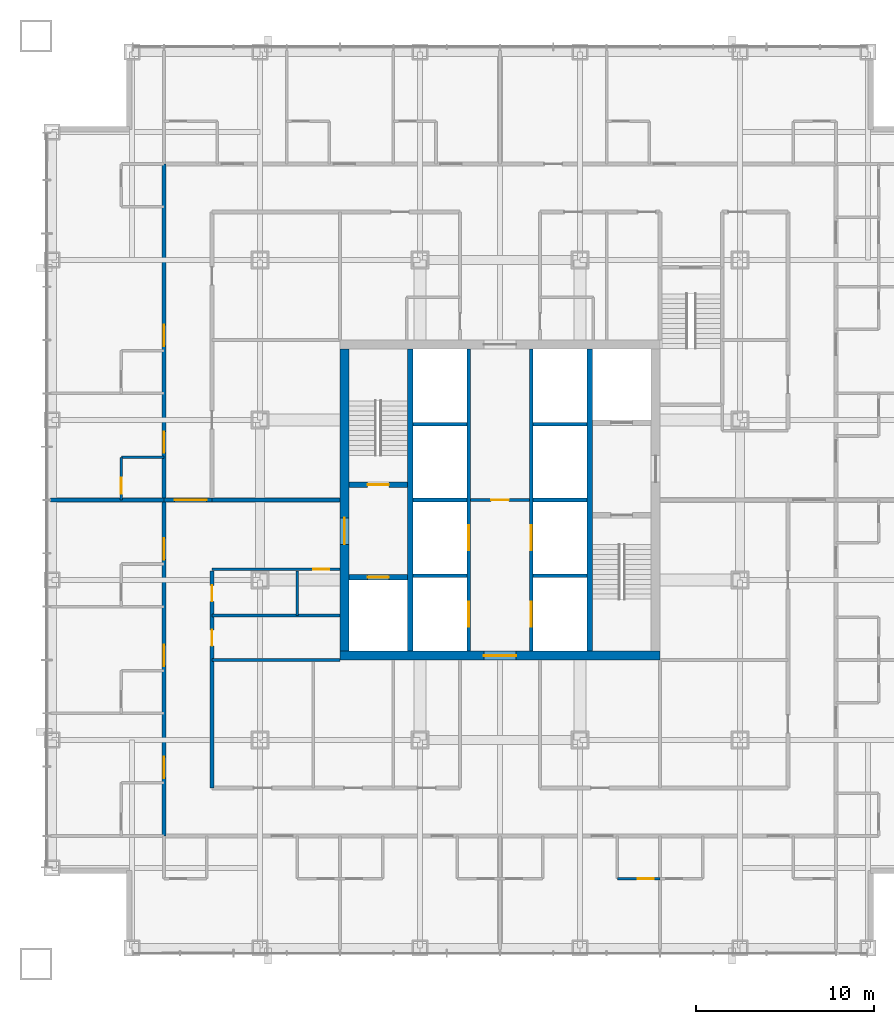
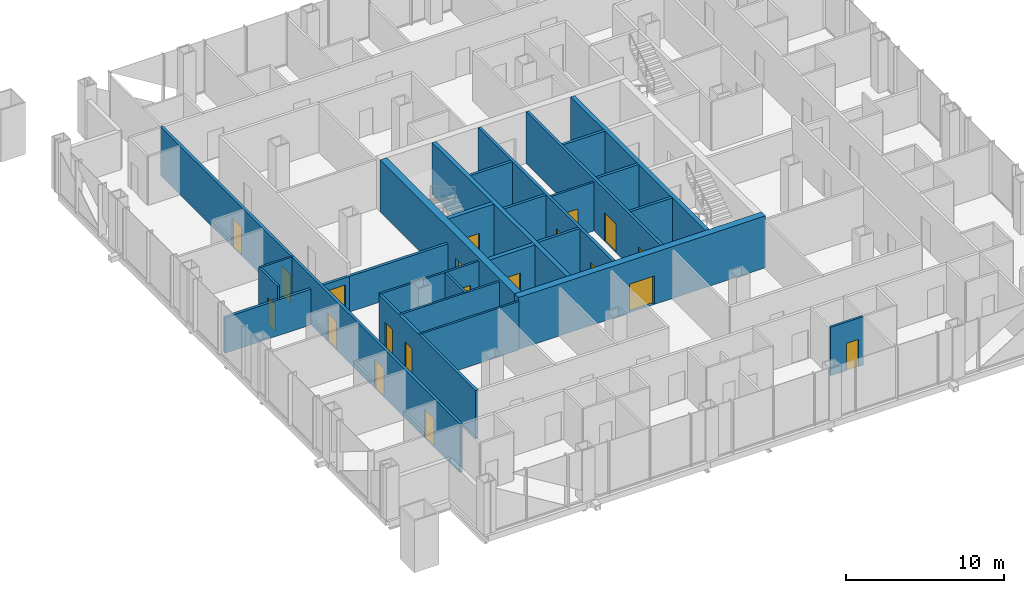
# One storey, part 8 of 17: 27 walls, 20 doors, 20 openings.
"""IFC4 building model written with IfcOpenShell, lengths in metres."""

from ifc_helpers import new_model, si_unit, direction, frame, frame_2d, origin, place, context, subcontext, project, spatial, rectangle, extrude, material, layer, layer_set, type_object, element, fill, save


model = new_model("IFC4")

# Units and contexts
model_context = context("Model", 3, precision=1e-05, world=origin(), true_north=direction((0.0, 1.0)))
body_context = subcontext(model_context, "Body", "Model", "MODEL_VIEW")
ifc_project = project(units=[si_unit("LENGTHUNIT", "METRE"), si_unit("AREAUNIT", "SQUARE_METRE"), si_unit("VOLUMEUNIT", "CUBIC_METRE"), si_unit("PLANEANGLEUNIT", "RADIAN"), si_unit("MASSUNIT", "GRAM", prefix="KILO")], contexts=[model_context])

# Site, building, storey
site_placement = place(None, origin())
site = spatial("IfcSite", under=ifc_project, at=site_placement, CompositionType="ELEMENT")
building_placement = place(site_placement, origin())
building = spatial("IfcBuilding", under=site, at=building_placement, Name="Malebo Sky Hospital", CompositionType="ELEMENT")
storey_placement = place(building_placement, frame((0.0, 0.0, 55.0)))
storey = spatial("IfcBuildingStorey", under=building, at=storey_placement, Name="L12", CompositionType="ELEMENT", Elevation=55.0)

# Wall, openings, doors
ifc_material_1 = material(Name="Concrete C80/95", Category="concrete")
ifc_layer_1 = layer(ifc_material_1, 0.199951171875)
ifc_layer_set_1 = layer_set([ifc_layer_1], Name="CORE INNER WALL 200")
wall_type_1 = type_object("IfcWallType", Name="CORE INNER WALL 200", PredefinedType="SHEAR", material=ifc_layer_set_1)
wall_1_placement = place(storey_placement, frame((58.25, 53.5, 0.0), z_axis=(0.0, 0.0, 1.0), x_axis=(0.0, 1.0, 0.0)))
wall_1 = element("IfcWall", 1, at=wall_1_placement, inside=storey, type_object=wall_type_1, Name="Core wall LW L12", PredefinedType="SHEAR", context=body_context, shape_type="SweptSolid", body=[
    extrude(rectangle(XDim=17.0, YDim=0.199951171875, at=frame_2d((8.5, 0.0))), origin(), (0.0, 0.0, 1.0), 4.0),
])
opening_1_placement = place(wall_1_placement, frame((1.375, 0.0, 0.0)))
opening_1 = element("IfcOpeningElement", 2, at=opening_1_placement, cuts=wall_1, Name="Opening LD1", PredefinedType="OPENING", context=body_context, shape_type="SweptSolid", body=[
    extrude(rectangle(XDim=1.39990234375, YDim=2.199951171875, at=frame_2d((0.699951171875, 1.10009765625))), frame((0.0, 0.10986328125, 0.0), z_axis=(0.0, -1.0, 0.0), x_axis=(1.0, 0.0, 0.0)), (0.0, 0.0, 1.0), 0.219970703125),
])
opening_2_placement = place(wall_1_placement, frame((5.675048828125, 0.0, 0.0)))
opening_2 = element("IfcOpeningElement", 3, at=opening_2_placement, cuts=wall_1, Name="Opening LD1", PredefinedType="OPENING", context=body_context, shape_type="SweptSolid", body=[
    extrude(rectangle(XDim=1.39990234375, YDim=2.199951171875, at=frame_2d((0.699951171875, 1.10009765625))), frame((0.0, 0.10986328125, 0.0), z_axis=(0.0, -1.0, 0.0), x_axis=(1.0, 0.0, 0.0)), (0.0, 0.0, 1.0), 0.219970703125),
])
ifc_material_2 = material(Name="Stainless steel sliding landing door", Category="steel")
door_type_1 = type_object("IfcDoorType", Name="LIFT LANDING DOOR 1400", OperationType="SLIDING_TO_LEFT", PredefinedType="DOOR", material=ifc_material_2)
door_1_placement = place(opening_1_placement, origin())
door_1 = element("IfcDoor", 4, at=door_1_placement, inside=storey, type_object=door_type_1, Name="Lift W1 landing door", OperationType="SLIDING_TO_LEFT", OverallHeight=2.199951171875, OverallWidth=1.39990234375, PredefinedType="DOOR", context=body_context, shape_type="SweptSolid", body=[
    extrude(rectangle(XDim=1.39990234375, YDim=2.199951171875, at=frame_2d((0.699951171875, 1.10009765625))), frame((0.0, 0.02490234375, 0.0), z_axis=(0.0, -1.0, 0.0), x_axis=(1.0, 0.0, 0.0)), (0.0, 0.0, 1.0), 0.050048828125),
])
fill(opening_1, door_1)
door_2_placement = place(opening_2_placement, origin())
door_2 = element("IfcDoor", 5, at=door_2_placement, inside=storey, type_object=door_type_1, Name="Lift W2 landing door", OperationType="SLIDING_TO_LEFT", OverallHeight=2.199951171875, OverallWidth=1.39990234375, PredefinedType="DOOR", context=body_context, shape_type="SweptSolid", body=[
    extrude(rectangle(XDim=1.39990234375, YDim=2.199951171875, at=frame_2d((0.699951171875, 1.10009765625))), frame((0.0, 0.02490234375, 0.0), z_axis=(0.0, -1.0, 0.0), x_axis=(1.0, 0.0, 0.0)), (0.0, 0.0, 1.0), 0.050048828125),
])
fill(opening_2, door_2)

wall_2_placement = place(storey_placement, frame((61.75, 53.5, 0.0), z_axis=(0.0, 0.0, 1.0), x_axis=(0.0, 1.0, 0.0)))
wall_2 = element("IfcWall", 6, at=wall_2_placement, inside=storey, type_object=wall_type_1, Name="Core wall LE L12", PredefinedType="SHEAR", context=body_context, shape_type="SweptSolid", body=[
    extrude(rectangle(XDim=17.0, YDim=0.199951171875, at=frame_2d((8.5, 0.0))), origin(), (0.0, 0.0, 1.0), 4.0),
])
opening_3_placement = place(wall_2_placement, frame((1.375, 0.0, 0.0)))
opening_3 = element("IfcOpeningElement", 7, at=opening_3_placement, cuts=wall_2, Name="Opening LD1", PredefinedType="OPENING", context=body_context, shape_type="SweptSolid", body=[
    extrude(rectangle(XDim=1.39990234375, YDim=2.199951171875, at=frame_2d((0.699951171875, 1.10009765625))), frame((0.0, 0.10986328125, 0.0), z_axis=(0.0, -1.0, 0.0), x_axis=(1.0, 0.0, 0.0)), (0.0, 0.0, 1.0), 0.219970703125),
])
opening_4_placement = place(wall_2_placement, frame((5.675048828125, 0.0, 0.0)))
opening_4 = element("IfcOpeningElement", 8, at=opening_4_placement, cuts=wall_2, Name="Opening LD1", PredefinedType="OPENING", context=body_context, shape_type="SweptSolid", body=[
    extrude(rectangle(XDim=1.39990234375, YDim=2.199951171875, at=frame_2d((0.699951171875, 1.10009765625))), frame((0.0, 0.10986328125, 0.0), z_axis=(0.0, -1.0, 0.0), x_axis=(1.0, 0.0, 0.0)), (0.0, 0.0, 1.0), 0.219970703125),
])
door_3_placement = place(opening_3_placement, origin())
door_3 = element("IfcDoor", 9, at=door_3_placement, inside=storey, type_object=door_type_1, Name="Lift E1 landing door", OperationType="SLIDING_TO_LEFT", OverallHeight=2.199951171875, OverallWidth=1.39990234375, PredefinedType="DOOR", context=body_context, shape_type="SweptSolid", body=[
    extrude(rectangle(XDim=1.39990234375, YDim=2.199951171875, at=frame_2d((0.699951171875, 1.10009765625))), frame((0.0, 0.02490234375, 0.0), z_axis=(0.0, -1.0, 0.0), x_axis=(1.0, 0.0, 0.0)), (0.0, 0.0, 1.0), 0.050048828125),
])
fill(opening_3, door_3)
door_4_placement = place(opening_4_placement, origin())
door_4 = element("IfcDoor", 10, at=door_4_placement, inside=storey, type_object=door_type_1, Name="Lift E2 landing door", OperationType="SLIDING_TO_LEFT", OverallHeight=2.199951171875, OverallWidth=1.39990234375, PredefinedType="DOOR", context=body_context, shape_type="SweptSolid", body=[
    extrude(rectangle(XDim=1.39990234375, YDim=2.199951171875, at=frame_2d((0.699951171875, 1.10009765625))), frame((0.0, 0.02490234375, 0.0), z_axis=(0.0, -1.0, 0.0), x_axis=(1.0, 0.0, 0.0)), (0.0, 0.0, 1.0), 0.050048828125),
])
fill(opening_4, door_4)

# Walls
for number, where, z_axis, x_axis, name in (
    (11, (55.10009765625, 57.75, 0.0), (0.0, 0.0, 1.0), (1.0, 0.0, 0.0), "Core wall SW0 L12"),
    (12, (61.85009765625, 57.75, 0.0), (0.0, 0.0, 1.0), (1.0, 0.0, 0.0), "Core wall SE0 L12"),
    (13, (55.10009765625, 62.0, 0.0), (0.0, 0.0, 1.0), (1.0, 0.0, 0.0), "Core wall SW1 L12"),
    (14, (61.85009765625, 62.0, 0.0), (0.0, 0.0, 1.0), (1.0, 0.0, 0.0), "Core wall SE1 L12"),
    (15, (55.10009765625, 66.25, 0.0), (0.0, 0.0, 1.0), (1.0, 0.0, 0.0), "Core wall SW2 L12"),
    (16, (61.85009765625, 66.25, 0.0), (0.0, 0.0, 1.0), (1.0, 0.0, 0.0), "Core wall SE2 L12"),
):
    element("IfcWall", number, at=place(storey_placement, frame(where, z_axis=z_axis, x_axis=x_axis)), inside=storey, type_object=wall_type_1, Name=name, PredefinedType="SHEAR", context=body_context, shape_type="SweptSolid", body=[
        extrude(rectangle(XDim=3.0498046875, YDim=0.199951171875, at=frame_2d((1.52490234375, 0.0))), origin(), (0.0, 0.0, 1.0), 4.0),
    ])
ifc_layer_2 = layer(ifc_material_1, 0.300048828125)
ifc_layer_set_2 = layer_set([ifc_layer_2], Name="CORE INNER WALL 300")
wall_type_2 = type_object("IfcWallType", Name="CORE INNER WALL 300", PredefinedType="SHEAR", material=ifc_layer_set_2)
for number, where, z_axis, x_axis, name in (
    (17, (54.949951171875, 53.5, 0.0), (0.0, 0.0, 1.0), (0.0, 1.0, 0.0), "Core wall XW L12"),
    (18, (65.050048828125, 53.5, 0.0), (0.0, 0.0, 1.0), (0.0, 1.0, 0.0), "Core wall XE L12"),
):
    element("IfcWall", number, at=place(storey_placement, frame(where, z_axis=z_axis, x_axis=x_axis)), inside=storey, type_object=wall_type_2, Name=name, PredefinedType="SHEAR", context=body_context, shape_type="SweptSolid", body=[
        extrude(rectangle(XDim=17.0, YDim=0.300048828125, at=frame_2d((8.5, 0.0))), origin(), (0.0, 0.0, 1.0), 4.0),
    ])

# Wall, opening, door
wall_3_placement = place(storey_placement, frame((51.5, 62.85009765625, 0.0), z_axis=(0.0, 0.0, 1.0), x_axis=(1.0, 0.0, 0.0)))
wall_3 = element("IfcWall", 19, at=wall_3_placement, inside=storey, type_object=wall_type_2, Name="Core wall W1 L12", PredefinedType="SHEAR", context=body_context, shape_type="SweptSolid", body=[
    extrude(rectangle(XDim=3.300048828125, YDim=0.300048828125, at=frame_2d((1.64990234375, 0.0))), origin(), (0.0, 0.0, 1.0), 4.0),
])
opening_5_placement = place(wall_3_placement, frame((1.050048828125, 0.0, 0.0)))
opening_5 = element("IfcOpeningElement", 20, at=opening_5_placement, cuts=wall_3, Name="Opening D08", PredefinedType="OPENING", context=body_context, shape_type="SweptSolid", body=[
    extrude(rectangle(XDim=1.199951171875, YDim=2.10009765625, at=frame_2d((0.60009765625, 1.050048828125))), frame((0.0, 0.159912109375, 0.0), z_axis=(0.0, -1.0, 0.0), x_axis=(1.0, 0.0, 0.0)), (0.0, 0.0, 1.0), 0.320068359375),
])
ifc_material_3 = material(Name="Hardwood-faced door leaf in steel frame", Category="steel")
door_type_2 = type_object("IfcDoorType", Name="STAIR DOOR 1200", OperationType="SINGLE_SWING_LEFT", PredefinedType="DOOR", material=ifc_material_3)
door_5_placement = place(opening_5_placement, origin())
door_5 = element("IfcDoor", 21, at=door_5_placement, inside=storey, type_object=door_type_2, Name="Stair S1 door", OperationType="SINGLE_SWING_LEFT", OverallHeight=2.10009765625, OverallWidth=1.199951171875, PredefinedType="DOOR", context=body_context, shape_type="SweptSolid", body=[
    extrude(rectangle(XDim=1.199951171875, YDim=2.10009765625, at=frame_2d((0.60009765625, 1.050048828125))), frame((0.0, 0.02490234375, 0.0), z_axis=(0.0, -1.0, 0.0), x_axis=(1.0, 0.0, 0.0)), (0.0, 0.0, 1.0), 0.050048828125),
])
fill(opening_5, door_5)

wall_4_placement = place(storey_placement, frame((51.5, 57.64990234375, 0.0), z_axis=(0.0, 0.0, 1.0), x_axis=(1.0, 0.0, 0.0)))
wall_4 = element("IfcWall", 22, at=wall_4_placement, inside=storey, type_object=wall_type_2, Name="Core wall W2 L12", PredefinedType="SHEAR", context=body_context, shape_type="SweptSolid", body=[
    extrude(rectangle(XDim=3.300048828125, YDim=0.300048828125, at=frame_2d((1.64990234375, 0.0))), origin(), (0.0, 0.0, 1.0), 4.0),
])
opening_6_placement = place(wall_4_placement, frame((1.050048828125, 0.0, 0.0)))
opening_6 = element("IfcOpeningElement", 23, at=opening_6_placement, cuts=wall_4, Name="Opening LD2", PredefinedType="OPENING", context=body_context, shape_type="SweptSolid", body=[
    extrude(rectangle(XDim=1.199951171875, YDim=2.199951171875, at=frame_2d((0.60009765625, 1.10009765625))), frame((0.0, 0.159912109375, 0.0), z_axis=(0.0, -1.0, 0.0), x_axis=(1.0, 0.0, 0.0)), (0.0, 0.0, 1.0), 0.320068359375),
])
door_type_3 = type_object("IfcDoorType", Name="FIRE-FIGHTING LIFT LANDING DOOR 1200", OperationType="SLIDING_TO_LEFT", PredefinedType="DOOR", material=ifc_material_2)
door_6_placement = place(opening_6_placement, origin())
door_6 = element("IfcDoor", 24, at=door_6_placement, inside=storey, type_object=door_type_3, Name="Lift FL1 landing door", OperationType="SLIDING_TO_LEFT", OverallHeight=2.199951171875, OverallWidth=1.199951171875, PredefinedType="DOOR", context=body_context, shape_type="SweptSolid", body=[
    extrude(rectangle(XDim=1.199951171875, YDim=2.199951171875, at=frame_2d((0.60009765625, 1.10009765625))), frame((0.0, 0.02490234375, 0.0), z_axis=(0.0, -1.0, 0.0), x_axis=(1.0, 0.0, 0.0)), (0.0, 0.0, 1.0), 0.050048828125),
])
fill(opening_6, door_6)

ifc_layer_3 = layer(ifc_material_1, 0.5)
ifc_layer_set_3 = layer_set([ifc_layer_3], Name="CORE WALL 500")
wall_type_3 = type_object("IfcWallType", Name="CORE WALL 500", PredefinedType="SHEAR", material=ifc_layer_set_3)
wall_5_placement = place(storey_placement, frame((51.0, 53.25, 0.0), z_axis=(0.0, 0.0, 1.0), x_axis=(1.0, 0.0, 0.0)))
wall_5 = element("IfcWall", 25, at=wall_5_placement, inside=storey, type_object=wall_type_3, Name="Core wall S L12", PredefinedType="SHEAR", context=body_context, shape_type="SweptSolid", body=[
    extrude(rectangle(XDim=18.0, YDim=0.5, at=frame_2d((9.0, 0.0))), origin(), (0.0, 0.0, 1.0), 4.0),
])
opening_7_placement = place(wall_5_placement, frame((8.10009765625, 0.0, 0.0)))
opening_7 = element("IfcOpeningElement", 26, at=opening_7_placement, cuts=wall_5, Name="Opening D06", PredefinedType="OPENING", context=body_context, shape_type="SweptSolid", body=[
    extrude(rectangle(XDim=1.800048828125, YDim=2.199951171875, at=frame_2d((0.89990234375, 1.10009765625))), frame((0.0, 0.260009765625, 0.0), z_axis=(0.0, -1.0, 0.0), x_axis=(1.0, 0.0, 0.0)), (0.0, 0.0, 1.0), 0.52001953125),
])
door_type_4 = type_object("IfcDoorType", Name="LOBBY DOOR PAIR 1800", OperationType="DOUBLE_DOOR_SINGLE_SWING", PredefinedType="DOOR", material=ifc_material_3)
door_7_placement = place(opening_7_placement, origin())
door_7 = element("IfcDoor", 27, at=door_7_placement, inside=storey, type_object=door_type_4, Name="Lift lobby door south", OperationType="DOUBLE_DOOR_SINGLE_SWING", OverallHeight=2.199951171875, OverallWidth=1.800048828125, PredefinedType="DOOR", context=body_context, shape_type="SweptSolid", body=[
    extrude(rectangle(XDim=1.800048828125, YDim=2.199951171875, at=frame_2d((0.89990234375, 1.10009765625))), frame((0.0, 0.02490234375, 0.0), z_axis=(0.0, -1.0, 0.0), x_axis=(1.0, 0.0, 0.0)), (0.0, 0.0, 1.0), 0.050048828125),
])
fill(opening_7, door_7)

wall_6_placement = place(storey_placement, frame((51.25, 53.5, 0.0), z_axis=(0.0, 0.0, 1.0), x_axis=(0.0, 1.0, 0.0)))
wall_6 = element("IfcWall", 28, at=wall_6_placement, inside=storey, type_object=wall_type_3, Name="Core wall W L12", PredefinedType="SHEAR", context=body_context, shape_type="SweptSolid", body=[
    extrude(rectangle(XDim=17.0, YDim=0.5, at=frame_2d((8.5, 0.0))), origin(), (0.0, 0.0, 1.0), 4.0),
])
opening_8_placement = place(wall_6_placement, frame((6.0, 0.0, 0.0)))
opening_8 = element("IfcOpeningElement", 29, at=opening_8_placement, cuts=wall_6, Name="Opening D07", PredefinedType="OPENING", context=body_context, shape_type="SweptSolid", body=[
    extrude(rectangle(XDim=1.5, YDim=2.199951171875, at=frame_2d((0.75, 1.10009765625))), frame((0.0, 0.260009765625, 0.0), z_axis=(0.0, -1.0, 0.0), x_axis=(1.0, 0.0, 0.0)), (0.0, 0.0, 1.0), 0.52001953125),
])
door_type_5 = type_object("IfcDoorType", Name="FIRE-FIGHTING LOBBY DOOR PAIR 1500", OperationType="DOUBLE_DOOR_SINGLE_SWING", PredefinedType="DOOR", material=ifc_material_3)
door_8_placement = place(opening_8_placement, origin())
door_8 = element("IfcDoor", 30, at=door_8_placement, inside=storey, type_object=door_type_5, Name="Fire-fighting lobby door west", OperationType="DOUBLE_DOOR_SINGLE_SWING", OverallHeight=2.199951171875, OverallWidth=1.5, PredefinedType="DOOR", context=body_context, shape_type="SweptSolid", body=[
    extrude(rectangle(XDim=1.5, YDim=2.199951171875, at=frame_2d((0.75, 1.10009765625))), frame((0.0, 0.02490234375, 0.0), z_axis=(0.0, -1.0, 0.0), x_axis=(1.0, 0.0, 0.0)), (0.0, 0.0, 1.0), 0.050048828125),
])
fill(opening_8, door_8)

# Wall, openings, doors
ifc_material_4 = material(Name="Gypsum board on steel studs", Category="steel")
ifc_layer_4 = layer(ifc_material_4, 0.199951171875)
ifc_layer_set_4 = layer_set([ifc_layer_4], Name="CORRIDOR WALL 200")
wall_type_4 = type_object("IfcWallType", Name="CORRIDOR WALL 200", PredefinedType="PARTITIONING", material=ifc_layer_set_4)
wall_7_placement = place(storey_placement, frame((41.10009765625, 43.10009765625, 0.0), z_axis=(0.0, 0.0, 1.0), x_axis=(0.0, 1.0, 0.0)))
wall_7 = element("IfcWall", 31, at=wall_7_placement, inside=storey, type_object=wall_type_4, Name="Corridor Wall 200 WCO", PredefinedType="PARTITIONING", context=body_context, shape_type="SweptSolid", body=[
    extrude(rectangle(XDim=37.7998046875, YDim=0.199951171875, at=frame_2d((18.89990234375, 0.0))), origin(), (0.0, 0.0, 1.0), 3.75),
])
opening_9_placement = place(wall_7_placement, frame((3.25, 0.0, 0.0)))
opening_9 = element("IfcOpeningElement", 32, at=opening_9_placement, cuts=wall_7, Name="Opening D01", PredefinedType="OPENING", context=body_context, shape_type="SweptSolid", body=[
    extrude(rectangle(XDim=1.199951171875, YDim=2.199951171875, at=frame_2d((0.60009765625, 1.10009765625))), frame((0.0, 0.10986328125, 0.0), z_axis=(0.0, -1.0, 0.0), x_axis=(1.0, 0.0, 0.0)), (0.0, 0.0, 1.0), 0.219970703125),
])
opening_10_placement = place(wall_7_placement, frame((9.550048828125, 0.0, 0.0)))
opening_10 = element("IfcOpeningElement", 33, at=opening_10_placement, cuts=wall_7, Name="Opening D01", PredefinedType="OPENING", context=body_context, shape_type="SweptSolid", body=[
    extrude(rectangle(XDim=1.199951171875, YDim=2.199951171875, at=frame_2d((0.60009765625, 1.10009765625))), frame((0.0, 0.10986328125, 0.0), z_axis=(0.0, -1.0, 0.0), x_axis=(1.0, 0.0, 0.0)), (0.0, 0.0, 1.0), 0.219970703125),
])
opening_11_placement = place(wall_7_placement, frame((15.550048828125, 0.0, 0.0)))
opening_11 = element("IfcOpeningElement", 34, at=opening_11_placement, cuts=wall_7, Name="Opening D01", PredefinedType="OPENING", context=body_context, shape_type="SweptSolid", body=[
    extrude(rectangle(XDim=1.199951171875, YDim=2.199951171875, at=frame_2d((0.60009765625, 1.10009765625))), frame((0.0, 0.10986328125, 0.0), z_axis=(0.0, -1.0, 0.0), x_axis=(1.0, 0.0, 0.0)), (0.0, 0.0, 1.0), 0.219970703125),
])
opening_12_placement = place(wall_7_placement, frame((21.550048828125, 0.0, 0.0)))
opening_12 = element("IfcOpeningElement", 35, at=opening_12_placement, cuts=wall_7, Name="Opening D01", PredefinedType="OPENING", context=body_context, shape_type="SweptSolid", body=[
    extrude(rectangle(XDim=1.199951171875, YDim=2.199951171875, at=frame_2d((0.60009765625, 1.10009765625))), frame((0.0, 0.10986328125, 0.0), z_axis=(0.0, -1.0, 0.0), x_axis=(1.0, 0.0, 0.0)), (0.0, 0.0, 1.0), 0.219970703125),
])
opening_13_placement = place(wall_7_placement, frame((27.550048828125, 0.0, 0.0)))
opening_13 = element("IfcOpeningElement", 36, at=opening_13_placement, cuts=wall_7, Name="Opening D01", PredefinedType="OPENING", context=body_context, shape_type="SweptSolid", body=[
    extrude(rectangle(XDim=1.199951171875, YDim=2.199951171875, at=frame_2d((0.60009765625, 1.10009765625))), frame((0.0, 0.10986328125, 0.0), z_axis=(0.0, -1.0, 0.0), x_axis=(1.0, 0.0, 0.0)), (0.0, 0.0, 1.0), 0.219970703125),
])
door_type_6 = type_object("IfcDoorType", Name="BED DOOR 1200", OperationType="SINGLE_SWING_LEFT", PredefinedType="DOOR", material=ifc_material_3)
door_9_placement = place(opening_9_placement, origin())
door_9 = element("IfcDoor", 37, at=door_9_placement, inside=storey, type_object=door_type_6, Name="Two-bed room door", OperationType="SINGLE_SWING_LEFT", OverallHeight=2.199951171875, OverallWidth=1.199951171875, PredefinedType="DOOR", context=body_context, shape_type="SweptSolid", body=[
    extrude(rectangle(XDim=1.199951171875, YDim=2.199951171875, at=frame_2d((0.60009765625, 1.10009765625))), frame((0.0, 0.02490234375, 0.0), z_axis=(0.0, -1.0, 0.0), x_axis=(1.0, 0.0, 0.0)), (0.0, 0.0, 1.0), 0.050048828125),
])
fill(opening_9, door_9)
door_10_placement = place(opening_10_placement, origin())
door_10 = element("IfcDoor", 38, at=door_10_placement, inside=storey, type_object=door_type_6, Name="Two-bed room door", OperationType="SINGLE_SWING_LEFT", OverallHeight=2.199951171875, OverallWidth=1.199951171875, PredefinedType="DOOR", context=body_context, shape_type="SweptSolid", body=[
    extrude(rectangle(XDim=1.199951171875, YDim=2.199951171875, at=frame_2d((0.60009765625, 1.10009765625))), frame((0.0, 0.02490234375, 0.0), z_axis=(0.0, -1.0, 0.0), x_axis=(1.0, 0.0, 0.0)), (0.0, 0.0, 1.0), 0.050048828125),
])
fill(opening_10, door_10)
door_11_placement = place(opening_11_placement, origin())
door_11 = element("IfcDoor", 39, at=door_11_placement, inside=storey, type_object=door_type_6, Name="Two-bed room door", OperationType="SINGLE_SWING_LEFT", OverallHeight=2.199951171875, OverallWidth=1.199951171875, PredefinedType="DOOR", context=body_context, shape_type="SweptSolid", body=[
    extrude(rectangle(XDim=1.199951171875, YDim=2.199951171875, at=frame_2d((0.60009765625, 1.10009765625))), frame((0.0, 0.02490234375, 0.0), z_axis=(0.0, -1.0, 0.0), x_axis=(1.0, 0.0, 0.0)), (0.0, 0.0, 1.0), 0.050048828125),
])
fill(opening_11, door_11)
door_12_placement = place(opening_12_placement, origin())
door_12 = element("IfcDoor", 40, at=door_12_placement, inside=storey, type_object=door_type_6, Name="Two-bed room door", OperationType="SINGLE_SWING_LEFT", OverallHeight=2.199951171875, OverallWidth=1.199951171875, PredefinedType="DOOR", context=body_context, shape_type="SweptSolid", body=[
    extrude(rectangle(XDim=1.199951171875, YDim=2.199951171875, at=frame_2d((0.60009765625, 1.10009765625))), frame((0.0, 0.02490234375, 0.0), z_axis=(0.0, -1.0, 0.0), x_axis=(1.0, 0.0, 0.0)), (0.0, 0.0, 1.0), 0.050048828125),
])
fill(opening_12, door_12)
door_13_placement = place(opening_13_placement, origin())
door_13 = element("IfcDoor", 41, at=door_13_placement, inside=storey, type_object=door_type_6, Name="Four-bed bay door", OperationType="SINGLE_SWING_LEFT", OverallHeight=2.199951171875, OverallWidth=1.199951171875, PredefinedType="DOOR", context=body_context, shape_type="SweptSolid", body=[
    extrude(rectangle(XDim=1.199951171875, YDim=2.199951171875, at=frame_2d((0.60009765625, 1.10009765625))), frame((0.0, 0.02490234375, 0.0), z_axis=(0.0, -1.0, 0.0), x_axis=(1.0, 0.0, 0.0)), (0.0, 0.0, 1.0), 0.050048828125),
])
fill(opening_13, door_13)

wall_8_placement = place(storey_placement, frame((43.800048828125, 45.800048828125, 0.0), z_axis=(0.0, 0.0, 1.0), x_axis=(0.0, 1.0, 0.0)))
wall_8 = element("IfcWall", 42, at=wall_8_placement, inside=storey, type_object=wall_type_4, Name="Corridor Wall 200 WCI1", PredefinedType="PARTITIONING", context=body_context, shape_type="SweptSolid", body=[
    extrude(rectangle(XDim=12.199951171875, YDim=0.199951171875, at=frame_2d((6.10009765625, 0.0))), origin(), (0.0, 0.0, 1.0), 3.75),
])
opening_14_placement = place(wall_8_placement, frame((8.0, 0.0, 0.0)))
opening_14 = element("IfcOpeningElement", 43, at=opening_14_placement, cuts=wall_8, Name="Opening D04", PredefinedType="OPENING", context=body_context, shape_type="SweptSolid", body=[
    extrude(rectangle(XDim=0.89990234375, YDim=2.10009765625, at=frame_2d((0.449951171875, 1.050048828125))), frame((0.0, 0.10986328125, 0.0), z_axis=(0.0, -1.0, 0.0), x_axis=(1.0, 0.0, 0.0)), (0.0, 0.0, 1.0), 0.219970703125),
])
opening_15_placement = place(wall_8_placement, frame((10.5, 0.0, 0.0)))
opening_15 = element("IfcOpeningElement", 44, at=opening_15_placement, cuts=wall_8, Name="Opening D04", PredefinedType="OPENING", context=body_context, shape_type="SweptSolid", body=[
    extrude(rectangle(XDim=0.89990234375, YDim=2.10009765625, at=frame_2d((0.449951171875, 1.050048828125))), frame((0.0, 0.10986328125, 0.0), z_axis=(0.0, -1.0, 0.0), x_axis=(1.0, 0.0, 0.0)), (0.0, 0.0, 1.0), 0.219970703125),
])
door_type_7 = type_object("IfcDoorType", Name="ROOM DOOR 900", OperationType="SINGLE_SWING_LEFT", PredefinedType="DOOR", material=ifc_material_3)
door_14_placement = place(opening_14_placement, origin())
door_14 = element("IfcDoor", 45, at=door_14_placement, inside=storey, type_object=door_type_7, Name="Medication room door", OperationType="SINGLE_SWING_LEFT", OverallHeight=2.10009765625, OverallWidth=0.89990234375, PredefinedType="DOOR", context=body_context, shape_type="SweptSolid", body=[
    extrude(rectangle(XDim=0.89990234375, YDim=2.10009765625, at=frame_2d((0.449951171875, 1.050048828125))), frame((0.0, 0.02490234375, 0.0), z_axis=(0.0, -1.0, 0.0), x_axis=(1.0, 0.0, 0.0)), (0.0, 0.0, 1.0), 0.050048828125),
])
fill(opening_14, door_14)
door_15_placement = place(opening_15_placement, origin())
door_15 = element("IfcDoor", 46, at=door_15_placement, inside=storey, type_object=door_type_7, Name="Linen store door", OperationType="SINGLE_SWING_LEFT", OverallHeight=2.10009765625, OverallWidth=0.89990234375, PredefinedType="DOOR", context=body_context, shape_type="SweptSolid", body=[
    extrude(rectangle(XDim=0.89990234375, YDim=2.10009765625, at=frame_2d((0.449951171875, 1.050048828125))), frame((0.0, 0.02490234375, 0.0), z_axis=(0.0, -1.0, 0.0), x_axis=(1.0, 0.0, 0.0)), (0.0, 0.0, 1.0), 0.050048828125),
])
fill(opening_15, door_15)

# Wall, opening, door
ifc_layer_5 = layer(ifc_material_4, 0.14990234375)
ifc_layer_set_5 = layer_set([ifc_layer_5], Name="PARTITION 150")
wall_type_5 = type_object("IfcWallType", Name="PARTITION 150", PredefinedType="PARTITIONING", material=ifc_layer_set_5)
wall_9_placement = place(storey_placement, frame((38.699951171875, 62.0, 0.0), z_axis=(0.0, 0.0, 1.0), x_axis=(0.0, 1.0, 0.0)))
wall_9 = element("IfcWall", 47, at=wall_9_placement, inside=storey, type_object=wall_type_5, Name="Partition 150 WE3F", PredefinedType="PARTITIONING", context=body_context, shape_type="SweptSolid", body=[
    extrude(rectangle(XDim=2.39990234375, YDim=0.14990234375, at=frame_2d((1.199951171875, 0.0))), origin(), (0.0, 0.0, 1.0), 3.75),
])
opening_16_placement = place(wall_9_placement, frame((0.35009765625, 0.0, 0.0)))
opening_16 = element("IfcOpeningElement", 48, at=opening_16_placement, cuts=wall_9, Name="Opening D02", PredefinedType="OPENING", context=body_context, shape_type="SweptSolid", body=[
    extrude(rectangle(XDim=0.89990234375, YDim=2.10009765625, at=frame_2d((0.449951171875, 1.050048828125))), frame((0.0, 0.0849609375, 0.0), z_axis=(0.0, -1.0, 0.0), x_axis=(1.0, 0.0, 0.0)), (0.0, 0.0, 1.0), 0.169921875),
])
door_type_8 = type_object("IfcDoorType", Name="EN-SUITE DOOR 900", OperationType="SINGLE_SWING_LEFT", PredefinedType="DOOR", material=ifc_material_3)
door_16_placement = place(opening_16_placement, origin())
door_16 = element("IfcDoor", 49, at=door_16_placement, inside=storey, type_object=door_type_8, Name="En-suite door", OperationType="SINGLE_SWING_LEFT", OverallHeight=2.10009765625, OverallWidth=0.89990234375, PredefinedType="DOOR", context=body_context, shape_type="SweptSolid", body=[
    extrude(rectangle(XDim=0.89990234375, YDim=2.10009765625, at=frame_2d((0.449951171875, 1.050048828125))), frame((0.0, 0.02490234375, 0.0), z_axis=(0.0, -1.0, 0.0), x_axis=(1.0, 0.0, 0.0)), (0.0, 0.0, 1.0), 0.050048828125),
])
fill(opening_16, door_16)

# Walls
wall_10_placement = place(storey_placement, frame((41.10009765625, 64.39990234375, 0.0), z_axis=(0.0, 0.0, 1.0), x_axis=(-1.0, 0.0, 0.0)))
element("IfcWall", 50, at=wall_10_placement, inside=storey, type_object=wall_type_5, Name="Partition 150 WE3S", PredefinedType="PARTITIONING", context=body_context, shape_type="SweptSolid", body=[
    extrude(rectangle(XDim=2.400146484375, YDim=0.14990234375, at=frame_2d((1.2001953125, 0.0))), origin(), (0.0, 0.0, 1.0), 3.75),
])
wall_11_placement = place(storey_placement, frame((51.0, 53.0, 0.0), z_axis=(0.0, 0.0, 1.0), x_axis=(-1.0, 0.0, 0.0)))
element("IfcWall", 51, at=wall_11_placement, inside=storey, type_object=wall_type_5, Name="Partition 150 WSP0", PredefinedType="PARTITIONING", context=body_context, shape_type="SweptSolid", body=[
    extrude(rectangle(XDim=7.199951171875, YDim=0.14990234375, at=frame_2d((3.60009765625, 0.0))), origin(), (0.0, 0.0, 1.0), 3.75),
])

# Wall, opening, door
wall_12_placement = place(storey_placement, frame((51.0, 58.10009765625, 0.0), z_axis=(0.0, 0.0, 1.0), x_axis=(-1.0, 0.0, 0.0)))
wall_12 = element("IfcWall", 52, at=wall_12_placement, inside=storey, type_object=wall_type_5, Name="Partition 150 WSPA", PredefinedType="PARTITIONING", context=body_context, shape_type="SweptSolid", body=[
    extrude(rectangle(XDim=7.199951171875, YDim=0.14990234375, at=frame_2d((3.60009765625, 0.0))), origin(), (0.0, 0.0, 1.0), 3.75),
])
opening_17_placement = place(wall_12_placement, frame((0.60009765625, 0.0, 0.0)))
opening_17 = element("IfcOpeningElement", 53, at=opening_17_placement, cuts=wall_12, Name="Opening D04", PredefinedType="OPENING", context=body_context, shape_type="SweptSolid", body=[
    extrude(rectangle(XDim=0.89990234375, YDim=2.10009765625, at=frame_2d((0.449951171875, 1.050048828125))), frame((0.0, 0.0849609375, 0.0), z_axis=(0.0, -1.0, 0.0), x_axis=(1.0, 0.0, 0.0)), (0.0, 0.0, 1.0), 0.169921875),
])
door_17_placement = place(opening_17_placement, origin())
door_17 = element("IfcDoor", 54, at=door_17_placement, inside=storey, type_object=door_type_7, Name="Cleaner's room door", OperationType="SINGLE_SWING_LEFT", OverallHeight=2.10009765625, OverallWidth=0.89990234375, PredefinedType="DOOR", context=body_context, shape_type="SweptSolid", body=[
    extrude(rectangle(XDim=0.89990234375, YDim=2.10009765625, at=frame_2d((0.449951171875, 1.050048828125))), frame((0.0, 0.02490234375, 0.0), z_axis=(0.0, -1.0, 0.0), x_axis=(1.0, 0.0, 0.0)), (0.0, 0.0, 1.0), 0.050048828125),
])
fill(opening_17, door_17)

# Walls
wall_13_placement = place(storey_placement, frame((51.0, 55.5, 0.0), z_axis=(0.0, 0.0, 1.0), x_axis=(-1.0, 0.0, 0.0)))
element("IfcWall", 55, at=wall_13_placement, inside=storey, type_object=wall_type_5, Name="Partition 150 WSP-6.5", PredefinedType="PARTITIONING", context=body_context, shape_type="SweptSolid", body=[
    extrude(rectangle(XDim=7.199951171875, YDim=0.14990234375, at=frame_2d((3.60009765625, 0.0))), origin(), (0.0, 0.0, 1.0), 3.75),
])
wall_14_placement = place(storey_placement, frame((48.60009765625, 55.5, 0.0), z_axis=(0.0, 0.0, 1.0), x_axis=(0.0, 1.0, 0.0)))
element("IfcWall", 56, at=wall_14_placement, inside=storey, type_object=wall_type_5, Name="Partition 150 WSX1", PredefinedType="PARTITIONING", context=body_context, shape_type="SweptSolid", body=[
    extrude(rectangle(XDim=2.5, YDim=0.14990234375, at=frame_2d((1.25, 0.0))), origin(), (0.0, 0.0, 1.0), 3.75),
])

# Wall, opening, door
wall_15_placement = place(storey_placement, frame((69.0, 40.699951171875, 0.0), z_axis=(0.0, 0.0, 1.0), x_axis=(-1.0, 0.0, 0.0)))
wall_15 = element("IfcWall", 57, at=wall_15_placement, inside=storey, type_object=wall_type_5, Name="Partition 150 SE1F", PredefinedType="PARTITIONING", context=body_context, shape_type="SweptSolid", body=[
    extrude(rectangle(XDim=2.39990234375, YDim=0.14990234375, at=frame_2d((1.199951171875, 0.0))), origin(), (0.0, 0.0, 1.0), 3.75),
])
opening_18_placement = place(wall_15_placement, frame((0.35009765625, 0.0, 0.0)))
opening_18 = element("IfcOpeningElement", 58, at=opening_18_placement, cuts=wall_15, Name="Opening D02", PredefinedType="OPENING", context=body_context, shape_type="SweptSolid", body=[
    extrude(rectangle(XDim=0.89990234375, YDim=2.10009765625, at=frame_2d((0.449951171875, 1.050048828125))), frame((0.0, 0.0849609375, 0.0), z_axis=(0.0, -1.0, 0.0), x_axis=(1.0, 0.0, 0.0)), (0.0, 0.0, 1.0), 0.169921875),
])
door_18_placement = place(opening_18_placement, origin())
door_18 = element("IfcDoor", 59, at=door_18_placement, inside=storey, type_object=door_type_8, Name="En-suite door", OperationType="SINGLE_SWING_LEFT", OverallHeight=2.10009765625, OverallWidth=0.89990234375, PredefinedType="DOOR", context=body_context, shape_type="SweptSolid", body=[
    extrude(rectangle(XDim=0.89990234375, YDim=2.10009765625, at=frame_2d((0.449951171875, 1.050048828125))), frame((0.0, 0.02490234375, 0.0), z_axis=(0.0, -1.0, 0.0), x_axis=(1.0, 0.0, 0.0)), (0.0, 0.0, 1.0), 0.050048828125),
])
fill(opening_18, door_18)

wall_16_placement = place(storey_placement, frame((58.35009765625, 62.0, 0.0), z_axis=(0.0, 0.0, 1.0), x_axis=(1.0, 0.0, 0.0)))
wall_16 = element("IfcWall", 60, at=wall_16_placement, inside=storey, type_object=wall_type_5, Name="Partition 150 LBN", PredefinedType="PARTITIONING", context=body_context, shape_type="SweptSolid", body=[
    extrude(rectangle(XDim=3.2998046875, YDim=0.14990234375, at=frame_2d((1.64990234375, 0.0))), origin(), (0.0, 0.0, 1.0), 3.75),
])
opening_19_placement = place(wall_16_placement, frame((1.14990234375, 0.0, 0.0)))
opening_19 = element("IfcOpeningElement", 61, at=opening_19_placement, cuts=wall_16, Name="Opening D03", PredefinedType="OPENING", context=body_context, shape_type="SweptSolid", body=[
    extrude(rectangle(XDim=1.0, YDim=2.10009765625, at=frame_2d((0.5, 1.050048828125))), frame((0.0, 0.0849609375, 0.0), z_axis=(0.0, -1.0, 0.0), x_axis=(1.0, 0.0, 0.0)), (0.0, 0.0, 1.0), 0.169921875),
])
door_type_9 = type_object("IfcDoorType", Name="ROOM DOOR 1000", OperationType="SINGLE_SWING_LEFT", PredefinedType="DOOR", material=ifc_material_3)
door_19_placement = place(opening_19_placement, origin())
door_19 = element("IfcDoor", 62, at=door_19_placement, inside=storey, type_object=door_type_9, Name="Linen store door", OperationType="SINGLE_SWING_LEFT", OverallHeight=2.10009765625, OverallWidth=1.0, PredefinedType="DOOR", context=body_context, shape_type="SweptSolid", body=[
    extrude(rectangle(XDim=1.0, YDim=2.10009765625, at=frame_2d((0.5, 1.050048828125))), frame((0.0, 0.02490234375, 0.0), z_axis=(0.0, -1.0, 0.0), x_axis=(1.0, 0.0, 0.0)), (0.0, 0.0, 1.0), 0.050048828125),
])
fill(opening_19, door_19)

# Walls
ifc_material_5 = material(Name="Concrete blockwork", Category="masonry")
ifc_layer_6 = layer(ifc_material_5, 0.199951171875)
ifc_layer_set_6 = layer_set([ifc_layer_6], Name="SMOKE BARRIER WALL 200")
wall_type_6 = type_object("IfcWallType", Name="SMOKE BARRIER WALL 200", PredefinedType="SOLIDWALL", material=ifc_layer_set_6)
wall_17_placement = place(storey_placement, frame((41.10009765625, 62.0, 0.0), z_axis=(0.0, 0.0, 1.0), x_axis=(-1.0, 0.0, 0.0)))
element("IfcWall", 63, at=wall_17_placement, inside=storey, type_object=wall_type_6, Name="Smoke Barrier Wall 200 WP+0.0", PredefinedType="SOLIDWALL", context=body_context, shape_type="SweptSolid", body=[
    extrude(rectangle(XDim=6.375, YDim=0.199951171875, at=frame_2d((3.1875, 0.0))), origin(), (0.0, 0.0, 1.0), 2.75),
])
wall_18_placement = place(storey_placement, frame((51.0, 62.0, 0.0), z_axis=(0.0, 0.0, 1.0), x_axis=(-1.0, 0.0, 0.0)))
element("IfcWall", 64, at=wall_18_placement, inside=storey, type_object=wall_type_6, Name="Smoke Barrier Wall 200 WSPB", PredefinedType="SOLIDWALL", context=body_context, shape_type="SweptSolid", body=[
    extrude(rectangle(XDim=7.199951171875, YDim=0.199951171875, at=frame_2d((3.60009765625, 0.0))), origin(), (0.0, 0.0, 1.0), 2.75),
])

# Wall, opening, door
wall_19_placement = place(storey_placement, frame((43.800048828125, 62.0, 0.0), z_axis=(0.0, 0.0, 1.0), x_axis=(-1.0, 0.0, 0.0)))
wall_19 = element("IfcWall", 65, at=wall_19_placement, inside=storey, type_object=wall_type_6, Name="Smoke Barrier Wall 200 WSB", PredefinedType="SOLIDWALL", context=body_context, shape_type="SweptSolid", body=[
    extrude(rectangle(XDim=2.699951171875, YDim=0.199951171875, at=frame_2d((1.35009765625, 0.0))), origin(), (0.0, 0.0, 1.0), 2.75),
])
opening_20_placement = place(wall_19_placement, frame((0.300048828125, 0.0, 0.0)))
opening_20 = element("IfcOpeningElement", 66, at=opening_20_placement, cuts=wall_19, Name="Opening D05", PredefinedType="OPENING", context=body_context, shape_type="SweptSolid", body=[
    extrude(rectangle(XDim=1.800048828125, YDim=2.199951171875, at=frame_2d((0.89990234375, 1.10009765625))), frame((0.0, 0.10986328125, 0.0), z_axis=(0.0, -1.0, 0.0), x_axis=(1.0, 0.0, 0.0)), (0.0, 0.0, 1.0), 0.219970703125),
])
door_type_10 = type_object("IfcDoorType", Name="SMOKE DOOR PAIR 1800", OperationType="DOUBLE_DOOR_DOUBLE_SWING", PredefinedType="DOOR", material=ifc_material_3)
door_20_placement = place(opening_20_placement, origin())
door_20 = element("IfcDoor", 67, at=door_20_placement, inside=storey, type_object=door_type_10, Name="Smoke compartment door pair", OperationType="DOUBLE_DOOR_DOUBLE_SWING", OverallHeight=2.199951171875, OverallWidth=1.800048828125, PredefinedType="DOOR", context=body_context, shape_type="SweptSolid", body=[
    extrude(rectangle(XDim=1.800048828125, YDim=2.199951171875, at=frame_2d((0.89990234375, 1.10009765625))), frame((0.0, 0.02490234375, 0.0), z_axis=(0.0, -1.0, 0.0), x_axis=(1.0, 0.0, 0.0)), (0.0, 0.0, 1.0), 0.050048828125),
])
fill(opening_20, door_20)

save(model, "model.ifc")
